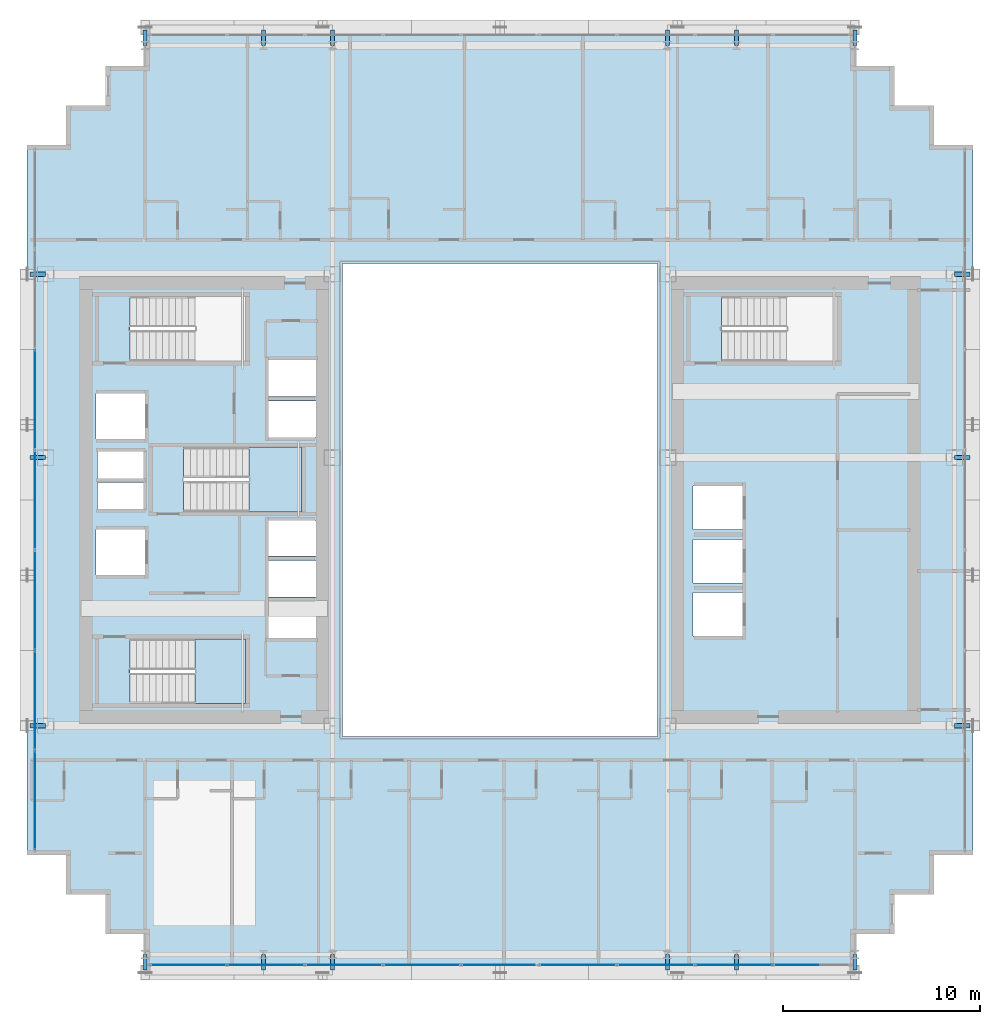
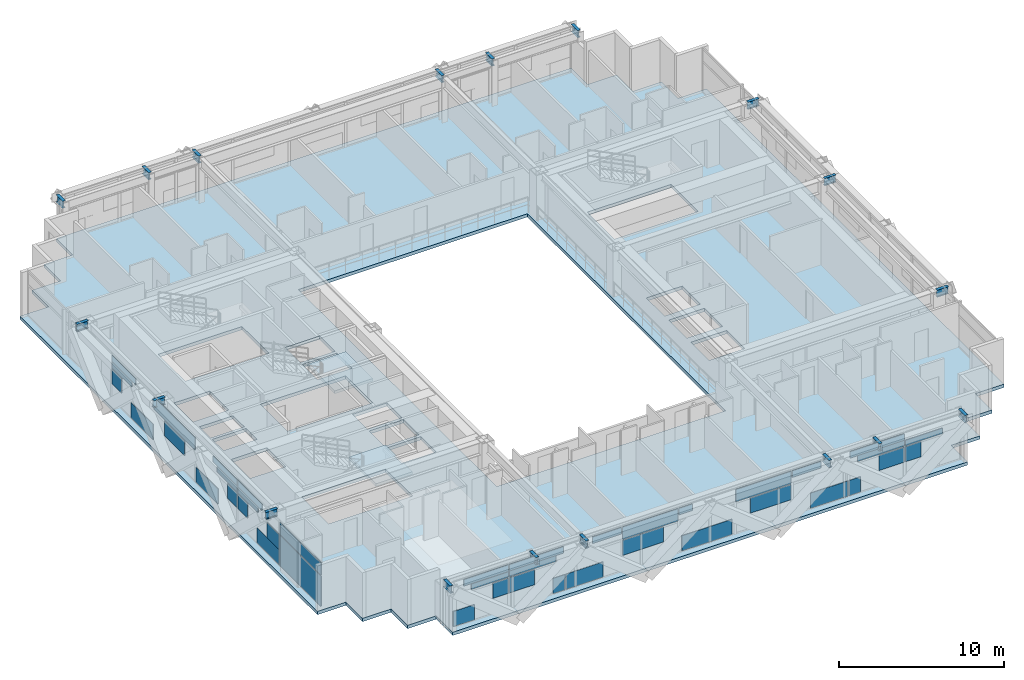
# One storey, part 23 of 35: 41 plates, 18 beams, 3 slabs, 4 elements without a shape of their own.
"""IFC4 building model written with IfcOpenShell, lengths in metres."""

from ifc_helpers import new_model, si_unit, direction, frame, origin, origin_2d, place, context, subcontext, project, spatial, polyline, rectangle, i_section, outline, extrude, source, transform, mapped, material, layer, layer_set, material_profile, profile_set, type_object, element, aggregate, save


model = new_model("IFC4")

# Units and contexts
model_context = context("Model", 3, precision=1e-05, world=origin(), true_north=direction((0.0, 1.0)))
body_context = subcontext(model_context, "Body", "Model", "MODEL_VIEW")
ifc_project = project(units=[si_unit("LENGTHUNIT", "METRE"), si_unit("AREAUNIT", "SQUARE_METRE"), si_unit("VOLUMEUNIT", "CUBIC_METRE"), si_unit("PLANEANGLEUNIT", "RADIAN"), si_unit("MASSUNIT", "GRAM", prefix="KILO")], contexts=[model_context])

# Site, building, storey
site_placement = place(None, origin())
site = spatial("IfcSite", under=ifc_project, at=site_placement, CompositionType="ELEMENT")
building_placement = place(site_placement, origin())
building = spatial("IfcBuilding", under=site, at=building_placement, Name="Ocotamira Hotel", CompositionType="ELEMENT")
storey_placement = place(building_placement, frame((0.0, 0.0, 100.800048828125)))
storey = spatial("IfcBuildingStorey", under=building, at=storey_placement, Name="L24", CompositionType="ELEMENT", Elevation=100.800048828125)

# Beams
ifc_material_1 = material(Name="Steel ASTM A992 Grade 50", Category="steel")
ifc_material_profile = material_profile(ifc_material_1, i_section(OverallWidth=0.2099609375, OverallDepth=0.537109375, WebThickness=0.010986328125, FlangeThickness=0.017333984375, FilletRadius=0.012939453125, at=origin_2d()), Name="W21X68")
ifc_profile_set = profile_set([ifc_material_profile], Name="Steel ASTM A992 Grade 50")
beam_type = type_object("IfcBeamType", Name="BM-SEC-W21X68", PredefinedType="JOIST", material=ifc_profile_set)
shared_shape_1 = source(origin(), body_context, "Body", "SweptSolid", [
    extrude(i_section(OverallWidth=0.2099609375, OverallDepth=0.537109375, WebThickness=0.010986328125, FlangeThickness=0.017333984375, FilletRadius=0.012939453125, at=origin_2d()), origin(), (0.0, 0.0, 1.0), 0.800048828125),
])
for number, where, z_axis, x_axis, name in (
    (1, (14.0, 2.949951171875, 3.091552734375), (0.0, -1.0, 0.0), (1.0, 0.0, 0.0), "L24 South Edge Header X14"),
    (2, (14.0, 49.050048828125, 3.091552734375), (0.0, 1.0, 0.0), (-1.0, 0.0, 0.0), "L24 North Edge Header X14"),
    (3, (20.0, 2.949951171875, 3.091552734375), (0.0, -1.0, 0.0), (1.0, 0.0, 0.0), "L24 South Edge Header X20"),
    (4, (20.0, 49.050048828125, 3.091552734375), (0.0, 1.0, 0.0), (-1.0, 0.0, 0.0), "L24 North Edge Header X20"),
    (5, (23.5, 2.949951171875, 3.091552734375), (0.0, -1.0, 0.0), (1.0, 0.0, 0.0), "L24 South Edge Header X23.5"),
    (6, (23.5, 49.050048828125, 3.091552734375), (0.0, 1.0, 0.0), (-1.0, 0.0, 0.0), "L24 North Edge Header X23.5"),
    (7, (40.5, 2.949951171875, 3.091552734375), (0.0, -1.0, 0.0), (1.0, 0.0, 0.0), "L24 South Edge Header X40.5"),
    (8, (40.5, 49.050048828125, 3.091552734375), (0.0, 1.0, 0.0), (-1.0, 0.0, 0.0), "L24 North Edge Header X40.5"),
    (9, (44.0, 2.949951171875, 3.091552734375), (0.0, -1.0, 0.0), (1.0, 0.0, 0.0), "L24 South Edge Header X44"),
    (10, (44.0, 49.050048828125, 3.091552734375), (0.0, 1.0, 0.0), (-1.0, 0.0, 0.0), "L24 North Edge Header X44"),
    (11, (50.0, 2.949951171875, 3.091552734375), (0.0, -1.0, 0.0), (1.0, 0.0, 0.0), "L24 South Edge Header X50"),
    (12, (50.0, 49.050048828125, 3.091552734375), (0.0, 1.0, 0.0), (-1.0, 0.0, 0.0), "L24 North Edge Header X50"),
    (13, (8.949951171875, 14.550048828125, 3.091552734375), (-1.0, 0.0, 0.0), (0.0, -1.0, 0.0), "L24 West Edge Header Y14.55"),
    (14, (55.050048828125, 14.550048828125, 3.091552734375), (1.0, 0.0, 0.0), (0.0, 1.0, 0.0), "L24 East Edge Header Y14.55"),
    (15, (8.949951171875, 28.14990234375, 3.091552734375), (-1.0, 0.0, 0.0), (0.0, -1.0, 0.0), "L24 West Edge Header Y28.15"),
    (16, (55.050048828125, 28.14990234375, 3.091552734375), (1.0, 0.0, 0.0), (0.0, 1.0, 0.0), "L24 East Edge Header Y28.15"),
    (17, (8.949951171875, 37.449951171875, 3.091552734375), (-1.0, 0.0, 0.0), (0.0, -1.0, 0.0), "L24 West Edge Header Y37.45"),
    (18, (55.050048828125, 37.449951171875, 3.091552734375), (1.0, 0.0, 0.0), (0.0, 1.0, 0.0), "L24 East Edge Header Y37.45"),
):
    element("IfcBeam", number, at=place(storey_placement, frame(where, z_axis=z_axis, x_axis=x_axis)), inside=storey, type_object=beam_type, Name=name, PredefinedType="JOIST", context=body_context, shape_type="MappedRepresentation", body=[
        mapped(shared_shape_1, transform((0.0, 0.0, 0.0), scale=1.0)),
    ])

# Stair, slab
ifc_material_2 = material(Name="Concrete C40/50", Category="concrete")
stair_type = type_object("IfcStairType", Name="ST-CORE-1560", PredefinedType="HALF_TURN_STAIR", material=ifc_material_2)
stair_1_placement = place(storey_placement, origin())
stair_1 = element("IfcStair", 19, at=stair_1_placement, inside=storey, type_object=stair_type, Name="L24 Exit Stair ST-1", PredefinedType="HALF_TURN_STAIR")
ifc_layer_1 = layer(ifc_material_2, 0.199951171875)
ifc_layer_set_1 = layer_set([ifc_layer_1], Name="Concrete C40/50")
slab_type_1 = type_object("IfcSlabType", Name="SLB-LAND-200", PredefinedType="LANDING", material=ifc_layer_set_1)
slab_1_placement = place(storey_placement, frame((0.0, 0.0, 1.599853515625)))
slab_1 = element("IfcSlab", 20, at=slab_1_placement, type_object=slab_type_1, Name="ST-1 landing 1", PredefinedType="LANDING", context=body_context, shape_type="SweptSolid", body=[
    extrude(outline(polyline([(16.530029296875, 15.669921875), (19.090087890625, 15.669921875), (19.090087890625, 18.949951171875), (16.530029296875, 18.949951171875), (16.530029296875, 15.669921875)])), origin(), (0.0, 0.0, 1.0), 0.2001953125),
])
aggregate(stair_1, [slab_1])

stair_2_placement = place(storey_placement, origin())
stair_2 = element("IfcStair", 21, at=stair_2_placement, inside=storey, type_object=stair_type, Name="L24 Exit Stair ST-3", PredefinedType="HALF_TURN_STAIR")
slab_2_placement = place(storey_placement, frame((0.0, 0.0, 1.599853515625)))
slab_2 = element("IfcSlab", 22, at=slab_2_placement, type_object=slab_type_1, Name="ST-3 landing 1", PredefinedType="LANDING", context=body_context, shape_type="SweptSolid", body=[
    extrude(outline(polyline([(19.260009765625, 25.39990234375), (21.919921875, 25.39990234375), (21.919921875, 28.679931640625), (19.260009765625, 28.679931640625), (19.260009765625, 25.39990234375)])), origin(), (0.0, 0.0, 1.0), 0.2001953125),
])
aggregate(stair_2, [slab_2])

# Slab
ifc_layer_2 = layer(ifc_material_2, 0.239990234375)
ifc_layer_set_2 = layer_set([ifc_layer_2], Name="Concrete C40/50")
slab_type_2 = type_object("IfcSlabType", Name="SLB-TYP-240", PredefinedType="FLOOR", material=ifc_layer_set_2)
slab_3_placement = place(storey_placement, frame((0.0, 0.0, -0.239990234375)))
element("IfcSlab", 23, at=slab_3_placement, inside=storey, type_object=slab_type_2, Name="L24 Structural Floor Slab", PredefinedType="FLOOR", context=body_context, shape_type="SweptSolid", body=[
    extrude(outline(polyline([(14.0, 2.0), (50.0, 2.0), (50.0, 4.0), (52.0, 4.0), (52.0, 6.0), (54.0, 6.0), (54.0, 8.0), (56.0, 8.0), (56.0, 44.0), (54.0, 44.0), (54.0, 46.0), (52.0, 46.0), (52.0, 48.0), (50.0, 48.0), (50.0, 50.0), (14.0, 50.0), (14.0, 48.0), (12.0, 48.0), (12.0, 46.0), (10.0, 46.0), (10.0, 44.0), (8.0, 44.0), (8.0, 8.0), (10.0, 8.0), (10.0, 6.0), (12.0, 6.0), (12.0, 4.0), (14.0, 4.0), (14.0, 2.0)]), holes=[polyline([(24.0, 14.0), (40.0, 14.0), (40.0, 38.0), (24.0, 38.0), (24.0, 14.0)]), polyline([(13.22998046875, 15.669921875), (19.090087890625, 15.669921875), (19.090087890625, 18.949951171875), (13.22998046875, 18.949951171875), (13.22998046875, 15.669921875)]), polyline([(13.22998046875, 33.050048828125), (19.090087890625, 33.050048828125), (19.090087890625, 36.330078125), (13.22998046875, 36.330078125), (13.22998046875, 33.050048828125)]), polyline([(15.9599609375, 25.39990234375), (21.919921875, 25.39990234375), (21.919921875, 28.679931640625), (15.9599609375, 28.679931640625), (15.9599609375, 25.39990234375)]), polyline([(43.22998046875, 33.050048828125), (49.090087890625, 33.050048828125), (49.090087890625, 36.330078125), (43.22998046875, 36.330078125), (43.22998046875, 33.050048828125)]), polyline([(41.800048828125, 19.10009765625), (44.300048828125, 19.10009765625), (44.300048828125, 21.300048828125), (41.800048828125, 21.300048828125), (41.800048828125, 19.10009765625)]), polyline([(41.800048828125, 21.800048828125), (44.300048828125, 21.800048828125), (44.300048828125, 24.0), (41.800048828125, 24.0), (41.800048828125, 21.800048828125)]), polyline([(41.800048828125, 24.5), (44.300048828125, 24.5), (44.300048828125, 26.699951171875), (41.800048828125, 26.699951171875), (41.800048828125, 24.5)]), polyline([(20.25, 19.0), (22.659912109375, 19.0), (22.659912109375, 20.85009765625), (20.25, 20.85009765625), (20.25, 19.0)]), polyline([(20.25, 21.080078125), (22.659912109375, 21.080078125), (22.659912109375, 22.929931640625), (20.25, 22.929931640625), (20.25, 21.080078125)]), polyline([(20.25, 23.159912109375), (22.659912109375, 23.159912109375), (22.659912109375, 24.9599609375), (20.25, 24.9599609375), (20.25, 23.159912109375)]), polyline([(20.25, 29.179931640625), (22.659912109375, 29.179931640625), (22.659912109375, 31.030029296875), (20.25, 31.030029296875), (20.25, 29.179931640625)]), polyline([(20.25, 31.260009765625), (22.659912109375, 31.260009765625), (22.659912109375, 33.110107421875), (20.25, 33.110107421875), (20.25, 31.260009765625)]), polyline([(11.5, 22.199951171875), (14.0, 22.199951171875), (14.0, 24.5), (11.5, 24.5), (11.5, 22.199951171875)]), polyline([(11.5, 29.10009765625), (14.0, 29.10009765625), (14.0, 31.39990234375), (11.5, 31.39990234375), (11.5, 29.10009765625)]), polyline([(11.580078125, 25.550048828125), (13.919921875, 25.550048828125), (13.919921875, 26.89990234375), (11.580078125, 26.89990234375), (11.580078125, 25.550048828125)]), polyline([(11.580078125, 27.10009765625), (13.919921875, 27.10009765625), (13.919921875, 28.449951171875), (11.580078125, 28.449951171875), (11.580078125, 27.10009765625)])]), origin(), (0.0, 0.0, 1.0), 0.239990234375),
])

# Curtain wall, plate
ifc_material_3 = material(Name="Anodised pale-metal aluminium and solar glass", Category="aluminium")
ifc_layer_3 = layer(ifc_material_3, 0.179931640625)
ifc_layer_set_3 = layer_set([ifc_layer_3], Name="Anodised pale-metal aluminium and solar glass")
curtain_wall_type = type_object("IfcCurtainWallType", Name="CW-SYS3-Z2", PredefinedType="NOTDEFINED", material=ifc_layer_set_3)
curtain_wall_1_placement = place(storey_placement, origin())
curtain_wall_1 = element("IfcCurtainWall", 24, at=curtain_wall_1_placement, inside=storey, type_object=curtain_wall_type, Name="L24 Curtain Wall CW-3 CW-L24-W", PredefinedType="NOTDEFINED")
ifc_material_4 = material(Name="Double-silver low-E insulated solar glass", Category="glass")
ifc_layer_4 = layer(ifc_material_4, 0.031982421875)
ifc_layer_set_4 = layer_set([ifc_layer_4], Name="Double-silver low-E insulated solar glass")
plate_type = type_object("IfcPlateType", Name="CWP-VISION-32", PredefinedType="CURTAIN_PANEL", material=ifc_layer_set_4)
shared_shape_2 = source(origin(), body_context, "Body", "SweptSolid", [
    extrude(rectangle(XDim=4.9658203125, YDim=0.031982421875, at=origin_2d()), origin(), (0.0, 0.0, 1.0), 2.237548828125),
])
plate_1_placement = place(storey_placement, frame((8.419921875, 10.762939453125, 0.07470703125), z_axis=(0.0, 0.0, 1.0), x_axis=(0.0, 1.0, 0.0)))
plate_1 = element("IfcPlate", 25, at=plate_1_placement, type_object=plate_type, Name="CW-3 panel 1.1", PredefinedType="CURTAIN_PANEL", context=body_context, shape_type="MappedRepresentation", body=[
    mapped(shared_shape_2, transform((0.0, 0.0, 0.0), scale=1.0)),
])

# Curtain wall, plates
curtain_wall_2_placement = place(storey_placement, origin())
curtain_wall_2 = element("IfcCurtainWall", 26, at=curtain_wall_2_placement, inside=storey, type_object=curtain_wall_type, Name="L24 Curtain Wall CW-3 CW-L24-S1", PredefinedType="NOTDEFINED")
shared_shape_3 = source(origin(), body_context, "Body", "SweptSolid", [
    extrude(rectangle(XDim=3.87548828125, YDim=0.031982421875, at=origin_2d()), origin(), (0.0, 0.0, 1.0), 0.8974609375),
])
plate_2_placement = place(storey_placement, frame((28.04443359375, 2.419921875, 2.387451171875), z_axis=(0.0, 0.0, 1.0), x_axis=(1.0, 0.0, 0.0)))
plate_2 = element("IfcPlate", 27, at=plate_2_placement, type_object=plate_type, Name="CW-3 panel 4.2", PredefinedType="CURTAIN_PANEL", context=body_context, shape_type="MappedRepresentation", body=[
    mapped(shared_shape_3, transform((0.0, 0.0, 0.0), scale=1.0)),
])
plate_3_placement = place(storey_placement, frame((35.95556640625, 2.419921875, 2.387451171875), z_axis=(0.0, 0.0, 1.0), x_axis=(1.0, 0.0, 0.0)))
plate_3 = element("IfcPlate", 28, at=plate_3_placement, type_object=plate_type, Name="CW-3 panel 6.2", PredefinedType="CURTAIN_PANEL", context=body_context, shape_type="MappedRepresentation", body=[
    mapped(shared_shape_3, transform((0.0, 0.0, 0.0), scale=1.0)),
])

# Plate
shared_shape_4 = source(origin(), body_context, "Body", "SweptSolid", [
    extrude(rectangle(XDim=4.9658203125, YDim=0.031982421875, at=origin_2d()), origin(), (0.0, 0.0, 1.0), 0.8974609375),
])
plate_4_placement = place(storey_placement, frame((8.419921875, 10.762939453125, 2.387451171875), z_axis=(0.0, 0.0, 1.0), x_axis=(0.0, 1.0, 0.0)))
plate_4 = element("IfcPlate", 29, at=plate_4_placement, type_object=plate_type, Name="CW-3 panel 1.2", PredefinedType="CURTAIN_PANEL", context=body_context, shape_type="MappedRepresentation", body=[
    mapped(shared_shape_4, transform((0.0, 0.0, 0.0), scale=1.0)),
])

shared_shape_5 = source(origin(), body_context, "Body", "SweptSolid", [
    extrude(rectangle(XDim=1.47509765625, YDim=0.031982421875, at=origin_2d()), origin(), (0.0, 0.0, 1.0), 1.118896484375),
])
plate_5_placement = place(storey_placement, frame((15.017578125, 2.419921875, 0.07470703125), z_axis=(0.0, 0.0, 1.0), x_axis=(1.0, 0.0, 0.0)))
plate_5 = element("IfcPlate", 30, at=plate_5_placement, type_object=plate_type, Name="CW-3 panel 1.1.1", PredefinedType="CURTAIN_PANEL", context=body_context, shape_type="MappedRepresentation", body=[
    mapped(shared_shape_5, transform((0.0, 0.0, 0.0), scale=1.0)),
])

shared_shape_6 = source(origin(), body_context, "Body", "SweptSolid", [
    extrude(rectangle(XDim=1.079833984375, YDim=0.031982421875, at=origin_2d()), origin(), (0.0, 0.0, 1.0), 1.11865234375),
])
plate_6_placement = place(storey_placement, frame((17.57568359375, 2.419921875, 1.193603515625), z_axis=(0.0, 0.0, 1.0), x_axis=(1.0, 0.0, 0.0)))
plate_6 = element("IfcPlate", 31, at=plate_6_placement, type_object=plate_type, Name="CW-3 panel 1.1.2", PredefinedType="CURTAIN_PANEL", context=body_context, shape_type="MappedRepresentation", body=[
    mapped(shared_shape_6, transform((0.0, 0.0, 0.0), scale=1.0)),
])

plate_7_placement = place(storey_placement, frame((46.42431640625, 2.419921875, 1.193603515625), z_axis=(0.0, 0.0, 1.0), x_axis=(1.0, 0.0, 0.0)))
plate_7 = element("IfcPlate", 32, at=plate_7_placement, type_object=plate_type, Name="CW-3 panel 9.1.1", PredefinedType="CURTAIN_PANEL", context=body_context, shape_type="MappedRepresentation", body=[
    mapped(shared_shape_6, transform((0.0, 0.0, 0.0), scale=1.0)),
])

shared_shape_7 = source(origin(), body_context, "Body", "SweptSolid", [
    extrude(rectangle(XDim=3.104248046875, YDim=0.031982421875, at=origin_2d()), origin(), (0.0, 0.0, 1.0), 0.4716796875),
])
plate_8_placement = place(storey_placement, frame((16.5634765625, 2.419921875, 2.813232421875), z_axis=(0.0, 0.0, 1.0), x_axis=(1.0, 0.0, 0.0)))
plate_8 = element("IfcPlate", 33, at=plate_8_placement, type_object=plate_type, Name="CW-3 panel 1.2.1", PredefinedType="CURTAIN_PANEL", context=body_context, shape_type="MappedRepresentation", body=[
    mapped(shared_shape_7, transform((0.0, 0.0, 0.0), scale=1.0)),
])

shared_shape_8 = source(origin(), body_context, "Body", "SweptSolid", [
    extrude(rectangle(XDim=2.572021484375, YDim=0.031982421875, at=origin_2d()), origin(), (0.0, 0.0, 1.0), 0.39453125),
])
plate_9_placement = place(storey_placement, frame((16.82958984375, 2.419921875, 2.387451171875), z_axis=(0.0, 0.0, 1.0), x_axis=(1.0, 0.0, 0.0)))
plate_9 = element("IfcPlate", 34, at=plate_9_placement, type_object=plate_type, Name="CW-3 panel 1.2.2", PredefinedType="CURTAIN_PANEL", context=body_context, shape_type="MappedRepresentation", body=[
    mapped(shared_shape_8, transform((0.0, 0.0, 0.0), scale=1.0)),
])

plate_10_placement = place(storey_placement, frame((47.17041015625, 2.419921875, 2.387451171875), z_axis=(0.0, 0.0, 1.0), x_axis=(1.0, 0.0, 0.0)))
plate_10 = element("IfcPlate", 35, at=plate_10_placement, type_object=plate_type, Name="CW-3 panel 9.2.1", PredefinedType="CURTAIN_PANEL", context=body_context, shape_type="MappedRepresentation", body=[
    mapped(shared_shape_8, transform((0.0, 0.0, 0.0), scale=1.0)),
])

shared_shape_9 = source(origin(), body_context, "Body", "SweptSolid", [
    extrude(rectangle(XDim=1.768798828125, YDim=0.031982421875, at=origin_2d()), origin(), (0.0, 0.0, 1.0), 1.11865234375),
])
plate_11_placement = place(storey_placement, frame((19.080078125, 2.419921875, 1.193603515625), z_axis=(0.0, 0.0, 1.0), x_axis=(1.0, 0.0, 0.0)))
plate_11 = element("IfcPlate", 36, at=plate_11_placement, type_object=plate_type, Name="CW-3 panel 2.1.1", PredefinedType="CURTAIN_PANEL", context=body_context, shape_type="MappedRepresentation", body=[
    mapped(shared_shape_9, transform((0.0, 0.0, 0.0), scale=1.0)),
])

plate_12_placement = place(storey_placement, frame((44.919921875, 2.419921875, 1.193603515625), z_axis=(0.0, 0.0, 1.0), x_axis=(1.0, 0.0, 0.0)))
plate_12 = element("IfcPlate", 37, at=plate_12_placement, type_object=plate_type, Name="CW-3 panel 8.1.2", PredefinedType="CURTAIN_PANEL", context=body_context, shape_type="MappedRepresentation", body=[
    mapped(shared_shape_9, transform((0.0, 0.0, 0.0), scale=1.0)),
])

shared_shape_10 = source(origin(), body_context, "Body", "SweptSolid", [
    extrude(rectangle(XDim=0.826171875, YDim=0.031982421875, at=origin_2d()), origin(), (0.0, 0.0, 1.0), 1.118896484375),
])
plate_13_placement = place(storey_placement, frame((21.658203125, 2.419921875, 0.07470703125), z_axis=(0.0, 0.0, 1.0), x_axis=(1.0, 0.0, 0.0)))
plate_13 = element("IfcPlate", 38, at=plate_13_placement, type_object=plate_type, Name="CW-3 panel 2.1.2", PredefinedType="CURTAIN_PANEL", context=body_context, shape_type="MappedRepresentation", body=[
    mapped(shared_shape_10, transform((0.0, 0.0, 0.0), scale=1.0)),
])

plate_14_placement = place(storey_placement, frame((42.341796875, 2.419921875, 0.07470703125), z_axis=(0.0, 0.0, 1.0), x_axis=(1.0, 0.0, 0.0)))
plate_14 = element("IfcPlate", 39, at=plate_14_placement, type_object=plate_type, Name="CW-3 panel 8.1.1", PredefinedType="CURTAIN_PANEL", context=body_context, shape_type="MappedRepresentation", body=[
    mapped(shared_shape_10, transform((0.0, 0.0, 0.0), scale=1.0)),
])

shared_shape_11 = source(origin(), body_context, "Body", "SweptSolid", [
    extrude(rectangle(XDim=3.260986328125, YDim=0.031982421875, at=origin_2d()), origin(), (0.0, 0.0, 1.0), 0.42578125),
])
plate_15_placement = place(storey_placement, frame((19.826171875, 2.419921875, 2.387451171875), z_axis=(0.0, 0.0, 1.0), x_axis=(1.0, 0.0, 0.0)))
plate_15 = element("IfcPlate", 40, at=plate_15_placement, type_object=plate_type, Name="CW-3 panel 2.2.1", PredefinedType="CURTAIN_PANEL", context=body_context, shape_type="MappedRepresentation", body=[
    mapped(shared_shape_11, transform((0.0, 0.0, 0.0), scale=1.0)),
])

plate_16_placement = place(storey_placement, frame((44.173828125, 2.419921875, 2.387451171875), z_axis=(0.0, 0.0, 1.0), x_axis=(1.0, 0.0, 0.0)))
plate_16 = element("IfcPlate", 41, at=plate_16_placement, type_object=plate_type, Name="CW-3 panel 8.2.2", PredefinedType="CURTAIN_PANEL", context=body_context, shape_type="MappedRepresentation", body=[
    mapped(shared_shape_11, transform((0.0, 0.0, 0.0), scale=1.0)),
])

shared_shape_12 = source(origin(), body_context, "Body", "SweptSolid", [
    extrude(rectangle(XDim=3.793212890625, YDim=0.031982421875, at=origin_2d()), origin(), (0.0, 0.0, 1.0), 0.4716796875),
])
plate_17_placement = place(storey_placement, frame((20.09228515625, 2.419921875, 2.813232421875), z_axis=(0.0, 0.0, 1.0), x_axis=(1.0, 0.0, 0.0)))
plate_17 = element("IfcPlate", 42, at=plate_17_placement, type_object=plate_type, Name="CW-3 panel 2.2.2", PredefinedType="CURTAIN_PANEL", context=body_context, shape_type="MappedRepresentation", body=[
    mapped(shared_shape_12, transform((0.0, 0.0, 0.0), scale=1.0)),
])

plate_18_placement = place(storey_placement, frame((43.90771484375, 2.419921875, 2.813232421875), z_axis=(0.0, 0.0, 1.0), x_axis=(1.0, 0.0, 0.0)))
plate_18 = element("IfcPlate", 43, at=plate_18_placement, type_object=plate_type, Name="CW-3 panel 8.2.1", PredefinedType="CURTAIN_PANEL", context=body_context, shape_type="MappedRepresentation", body=[
    mapped(shared_shape_12, transform((0.0, 0.0, 0.0), scale=1.0)),
])

shared_shape_13 = source(origin(), body_context, "Body", "SweptSolid", [
    extrude(rectangle(XDim=2.60400390625, YDim=0.031982421875, at=origin_2d()), origin(), (0.0, 0.0, 1.0), 1.118896484375),
])
plate_19_placement = place(storey_placement, frame((23.453125, 2.419921875, 0.07470703125), z_axis=(0.0, 0.0, 1.0), x_axis=(1.0, 0.0, 0.0)))
plate_19 = element("IfcPlate", 44, at=plate_19_placement, type_object=plate_type, Name="CW-3 panel 3.1.1", PredefinedType="CURTAIN_PANEL", context=body_context, shape_type="MappedRepresentation", body=[
    mapped(shared_shape_13, transform((0.0, 0.0, 0.0), scale=1.0)),
])

plate_20_placement = place(storey_placement, frame((40.546875, 2.419921875, 0.07470703125), z_axis=(0.0, 0.0, 1.0), x_axis=(1.0, 0.0, 0.0)))
plate_20 = element("IfcPlate", 45, at=plate_20_placement, type_object=plate_type, Name="CW-3 panel 7.1.1", PredefinedType="CURTAIN_PANEL", context=body_context, shape_type="MappedRepresentation", body=[
    mapped(shared_shape_13, transform((0.0, 0.0, 0.0), scale=1.0)),
])

shared_shape_14 = source(origin(), body_context, "Body", "SweptSolid", [
    extrude(rectangle(XDim=2.015380859375, YDim=0.031982421875, at=origin_2d()), origin(), (0.0, 0.0, 1.0), 0.4716796875),
])
plate_21_placement = place(storey_placement, frame((25.018798828125, 2.419921875, 2.813232421875), z_axis=(0.0, 0.0, 1.0), x_axis=(1.0, 0.0, 0.0)))
plate_21 = element("IfcPlate", 46, at=plate_21_placement, type_object=plate_type, Name="CW-3 panel 3.2.1", PredefinedType="CURTAIN_PANEL", context=body_context, shape_type="MappedRepresentation", body=[
    mapped(shared_shape_14, transform((0.0, 0.0, 0.0), scale=1.0)),
])

plate_22_placement = place(storey_placement, frame((38.981201171875, 2.419921875, 2.813232421875), z_axis=(0.0, 0.0, 1.0), x_axis=(1.0, 0.0, 0.0)))
plate_22 = element("IfcPlate", 47, at=plate_22_placement, type_object=plate_type, Name="CW-3 panel 7.2.1", PredefinedType="CURTAIN_PANEL", context=body_context, shape_type="MappedRepresentation", body=[
    mapped(shared_shape_14, transform((0.0, 0.0, 0.0), scale=1.0)),
])

shared_shape_15 = source(origin(), body_context, "Body", "SweptSolid", [
    extrude(rectangle(XDim=2.857666015625, YDim=0.031982421875, at=origin_2d()), origin(), (0.0, 0.0, 1.0), 1.11865234375),
])
plate_23_placement = place(storey_placement, frame((27.535400390625, 2.419921875, 1.193603515625), z_axis=(0.0, 0.0, 1.0), x_axis=(1.0, 0.0, 0.0)))
plate_23 = element("IfcPlate", 48, at=plate_23_placement, type_object=plate_type, Name="CW-3 panel 4.1.1", PredefinedType="CURTAIN_PANEL", context=body_context, shape_type="MappedRepresentation", body=[
    mapped(shared_shape_15, transform((0.0, 0.0, 0.0), scale=1.0)),
])

plate_24_placement = place(storey_placement, frame((36.464599609375, 2.419921875, 1.193603515625), z_axis=(0.0, 0.0, 1.0), x_axis=(1.0, 0.0, 0.0)))
plate_24 = element("IfcPlate", 49, at=plate_24_placement, type_object=plate_type, Name="CW-3 panel 6.1.1", PredefinedType="CURTAIN_PANEL", context=body_context, shape_type="MappedRepresentation", body=[
    mapped(shared_shape_15, transform((0.0, 0.0, 0.0), scale=1.0)),
])

shared_shape_16 = source(origin(), body_context, "Body", "SweptSolid", [
    extrude(rectangle(XDim=3.510009765625, YDim=0.031982421875, at=origin_2d()), origin(), (0.0, 0.0, 1.0), 1.118896484375),
])
plate_25_placement = place(storey_placement, frame((32.0, 2.419921875, 0.07470703125), z_axis=(0.0, 0.0, 1.0), x_axis=(1.0, 0.0, 0.0)))
plate_25 = element("IfcPlate", 50, at=plate_25_placement, type_object=plate_type, Name="CW-3 panel 5.1.1", PredefinedType="CURTAIN_PANEL", context=body_context, shape_type="MappedRepresentation", body=[
    mapped(shared_shape_16, transform((0.0, 0.0, 0.0), scale=1.0)),
])

shared_shape_17 = source(origin(), body_context, "Body", "SweptSolid", [
    extrude(rectangle(XDim=0.926513671875, YDim=0.031982421875, at=origin_2d()), origin(), (0.0, 0.0, 1.0), 0.4716796875),
])
plate_26_placement = place(storey_placement, frame((30.525390625, 2.419921875, 2.813232421875), z_axis=(0.0, 0.0, 1.0), x_axis=(1.0, 0.0, 0.0)))
plate_26 = element("IfcPlate", 51, at=plate_26_placement, type_object=plate_type, Name="CW-3 panel 5.2.1", PredefinedType="CURTAIN_PANEL", context=body_context, shape_type="MappedRepresentation", body=[
    mapped(shared_shape_17, transform((0.0, 0.0, 0.0), scale=1.0)),
])

aggregate(curtain_wall_2, [plate_5, plate_6, plate_8, plate_9, plate_11, plate_13, plate_15, plate_17, plate_19, plate_21, plate_23, plate_2, plate_25, plate_26, plate_24, plate_3, plate_20, plate_22, plate_14, plate_12, plate_18, plate_16, plate_7, plate_10])

shared_shape_18 = source(origin(), body_context, "Body", "SweptSolid", [
    extrude(rectangle(XDim=2.6728515625, YDim=0.031982421875, at=origin_2d()), origin(), (0.0, 0.0, 1.0), 1.118896484375),
])
plate_27_placement = place(storey_placement, frame((8.419921875, 14.662109375, 0.07470703125), z_axis=(0.0, 0.0, 1.0), x_axis=(0.0, 1.0, 0.0)))
plate_27 = element("IfcPlate", 52, at=plate_27_placement, type_object=plate_type, Name="CW-3 panel 2.1.1", PredefinedType="CURTAIN_PANEL", context=body_context, shape_type="MappedRepresentation", body=[
    mapped(shared_shape_18, transform((0.0, 0.0, 0.0), scale=1.0)),
])

shared_shape_19 = source(origin(), body_context, "Body", "SweptSolid", [
    extrude(rectangle(XDim=1.48681640625, YDim=0.031982421875, at=origin_2d()), origin(), (0.0, 0.0, 1.0), 1.11865234375),
])
plate_28_placement = place(storey_placement, frame((8.419921875, 14.069091796875, 1.193603515625), z_axis=(0.0, 0.0, 1.0), x_axis=(0.0, 1.0, 0.0)))
plate_28 = element("IfcPlate", 53, at=plate_28_placement, type_object=plate_type, Name="CW-3 panel 2.1.2", PredefinedType="CURTAIN_PANEL", context=body_context, shape_type="MappedRepresentation", body=[
    mapped(shared_shape_19, transform((0.0, 0.0, 0.0), scale=1.0)),
])

shared_shape_20 = source(origin(), body_context, "Body", "SweptSolid", [
    extrude(rectangle(XDim=1.1669921875, YDim=0.031982421875, at=origin_2d()), origin(), (0.0, 0.0, 1.0), 1.11865234375),
])
plate_29_placement = place(storey_placement, frame((8.419921875, 17.748046875, 1.193603515625), z_axis=(0.0, 0.0, 1.0), x_axis=(0.0, 1.0, 0.0)))
plate_29 = element("IfcPlate", 54, at=plate_29_placement, type_object=plate_type, Name="CW-3 panel 2.1.3", PredefinedType="CURTAIN_PANEL", context=body_context, shape_type="MappedRepresentation", body=[
    mapped(shared_shape_20, transform((0.0, 0.0, 0.0), scale=1.0)),
])

shared_shape_21 = source(origin(), body_context, "Body", "SweptSolid", [
    extrude(rectangle(XDim=2.908203125, YDim=0.031982421875, at=origin_2d()), origin(), (0.0, 0.0, 1.0), 0.44873046875),
])
plate_30_placement = place(storey_placement, frame((8.419921875, 16.877197265625, 2.836181640625), z_axis=(0.0, 0.0, 1.0), x_axis=(0.0, 1.0, 0.0)))
plate_30 = element("IfcPlate", 55, at=plate_30_placement, type_object=plate_type, Name="CW-3 panel 2.2.1", PredefinedType="CURTAIN_PANEL", context=body_context, shape_type="MappedRepresentation", body=[
    mapped(shared_shape_21, transform((0.0, 0.0, 0.0), scale=1.0)),
])

shared_shape_22 = source(origin(), body_context, "Body", "SweptSolid", [
    extrude(rectangle(XDim=2.4326171875, YDim=0.031982421875, at=origin_2d()), origin(), (0.0, 0.0, 1.0), 0.414306640625),
])
plate_31_placement = place(storey_placement, frame((8.419921875, 17.115234375, 2.3876953125), z_axis=(0.0, 0.0, 1.0), x_axis=(0.0, 1.0, 0.0)))
plate_31 = element("IfcPlate", 56, at=plate_31_placement, type_object=plate_type, Name="CW-3 panel 2.2.2", PredefinedType="CURTAIN_PANEL", context=body_context, shape_type="MappedRepresentation", body=[
    mapped(shared_shape_22, transform((0.0, 0.0, 0.0), scale=1.0)),
])

shared_shape_23 = source(origin(), body_context, "Body", "SweptSolid", [
    extrude(rectangle(XDim=1.1572265625, YDim=0.031982421875, at=origin_2d()), origin(), (0.0, 0.0, 1.0), 1.11865234375),
])
plate_32_placement = place(storey_placement, frame((8.419921875, 18.989990234375, 1.193603515625), z_axis=(0.0, 0.0, 1.0), x_axis=(0.0, 1.0, 0.0)))
plate_32 = element("IfcPlate", 57, at=plate_32_placement, type_object=plate_type, Name="CW-3 panel 3.1.1", PredefinedType="CURTAIN_PANEL", context=body_context, shape_type="MappedRepresentation", body=[
    mapped(shared_shape_23, transform((0.0, 0.0, 0.0), scale=1.0)),
])

plate_33_placement = place(storey_placement, frame((8.419921875, 33.010009765625, 1.193603515625), z_axis=(0.0, 0.0, 1.0), x_axis=(0.0, 1.0, 0.0)))
plate_33 = element("IfcPlate", 58, at=plate_33_placement, type_object=plate_type, Name="CW-3 panel 5.1.2", PredefinedType="CURTAIN_PANEL", context=body_context, shape_type="MappedRepresentation", body=[
    mapped(shared_shape_23, transform((0.0, 0.0, 0.0), scale=1.0)),
])

shared_shape_24 = source(origin(), body_context, "Body", "SweptSolid", [
    extrude(rectangle(XDim=2.6826171875, YDim=0.031982421875, at=origin_2d()), origin(), (0.0, 0.0, 1.0), 1.118896484375),
])
plate_34_placement = place(storey_placement, frame((8.419921875, 22.075927734375, 0.07470703125), z_axis=(0.0, 0.0, 1.0), x_axis=(0.0, 1.0, 0.0)))
plate_34 = element("IfcPlate", 59, at=plate_34_placement, type_object=plate_type, Name="CW-3 panel 3.1.2", PredefinedType="CURTAIN_PANEL", context=body_context, shape_type="MappedRepresentation", body=[
    mapped(shared_shape_24, transform((0.0, 0.0, 0.0), scale=1.0)),
])

plate_35_placement = place(storey_placement, frame((8.419921875, 29.924072265625, 0.07470703125), z_axis=(0.0, 0.0, 1.0), x_axis=(0.0, 1.0, 0.0)))
plate_35 = element("IfcPlate", 60, at=plate_35_placement, type_object=plate_type, Name="CW-3 panel 5.1.1", PredefinedType="CURTAIN_PANEL", context=body_context, shape_type="MappedRepresentation", body=[
    mapped(shared_shape_24, transform((0.0, 0.0, 0.0), scale=1.0)),
])

shared_shape_25 = source(origin(), body_context, "Body", "SweptSolid", [
    extrude(rectangle(XDim=2.4228515625, YDim=0.031982421875, at=origin_2d()), origin(), (0.0, 0.0, 1.0), 0.414306640625),
])
plate_36_placement = place(storey_placement, frame((8.419921875, 19.622802734375, 2.3876953125), z_axis=(0.0, 0.0, 1.0), x_axis=(0.0, 1.0, 0.0)))
plate_36 = element("IfcPlate", 61, at=plate_36_placement, type_object=plate_type, Name="CW-3 panel 3.2.1", PredefinedType="CURTAIN_PANEL", context=body_context, shape_type="MappedRepresentation", body=[
    mapped(shared_shape_25, transform((0.0, 0.0, 0.0), scale=1.0)),
])

plate_37_placement = place(storey_placement, frame((8.419921875, 32.377197265625, 2.3876953125), z_axis=(0.0, 0.0, 1.0), x_axis=(0.0, 1.0, 0.0)))
plate_37 = element("IfcPlate", 62, at=plate_37_placement, type_object=plate_type, Name="CW-3 panel 5.2.2", PredefinedType="CURTAIN_PANEL", context=body_context, shape_type="MappedRepresentation", body=[
    mapped(shared_shape_25, transform((0.0, 0.0, 0.0), scale=1.0)),
])

shared_shape_26 = source(origin(), body_context, "Body", "SweptSolid", [
    extrude(rectangle(XDim=2.898681640625, YDim=0.031982421875, at=origin_2d()), origin(), (0.0, 0.0, 1.0), 0.44873046875),
])
plate_38_placement = place(storey_placement, frame((8.419921875, 19.860595703125, 2.836181640625), z_axis=(0.0, 0.0, 1.0), x_axis=(0.0, 1.0, 0.0)))
plate_38 = element("IfcPlate", 63, at=plate_38_placement, type_object=plate_type, Name="CW-3 panel 3.2.2", PredefinedType="CURTAIN_PANEL", context=body_context, shape_type="MappedRepresentation", body=[
    mapped(shared_shape_26, transform((0.0, 0.0, 0.0), scale=1.0)),
])

plate_39_placement = place(storey_placement, frame((8.419921875, 32.139404296875, 2.836181640625), z_axis=(0.0, 0.0, 1.0), x_axis=(0.0, 1.0, 0.0)))
plate_39 = element("IfcPlate", 64, at=plate_39_placement, type_object=plate_type, Name="CW-3 panel 5.2.1", PredefinedType="CURTAIN_PANEL", context=body_context, shape_type="MappedRepresentation", body=[
    mapped(shared_shape_26, transform((0.0, 0.0, 0.0), scale=1.0)),
])

shared_shape_27 = source(origin(), body_context, "Body", "SweptSolid", [
    extrude(rectangle(XDim=2.404296875, YDim=0.031982421875, at=origin_2d()), origin(), (0.0, 0.0, 1.0), 1.11865234375),
])
plate_40_placement = place(storey_placement, frame((8.419921875, 26.0, 1.193603515625), z_axis=(0.0, 0.0, 1.0), x_axis=(0.0, 1.0, 0.0)))
plate_40 = element("IfcPlate", 65, at=plate_40_placement, type_object=plate_type, Name="CW-3 panel 4.1.1", PredefinedType="CURTAIN_PANEL", context=body_context, shape_type="MappedRepresentation", body=[
    mapped(shared_shape_27, transform((0.0, 0.0, 0.0), scale=1.0)),
])

shared_shape_28 = source(origin(), body_context, "Body", "SweptSolid", [
    extrude(rectangle(XDim=5.005615234375, YDim=0.031982421875, at=origin_2d()), origin(), (0.0, 0.0, 1.0), 0.8974609375),
])
plate_41_placement = place(storey_placement, frame((8.419921875, 26.0, 2.387451171875), z_axis=(0.0, 0.0, 1.0), x_axis=(0.0, 1.0, 0.0)))
plate_41 = element("IfcPlate", 66, at=plate_41_placement, type_object=plate_type, Name="CW-3 panel 4.2", PredefinedType="CURTAIN_PANEL", context=body_context, shape_type="MappedRepresentation", body=[
    mapped(shared_shape_28, transform((0.0, 0.0, 0.0), scale=1.0)),
])

aggregate(curtain_wall_1, [plate_1, plate_4, plate_27, plate_28, plate_29, plate_30, plate_31, plate_32, plate_34, plate_36, plate_38, plate_40, plate_41, plate_35, plate_33, plate_39, plate_37])

save(model, "model.ifc")
